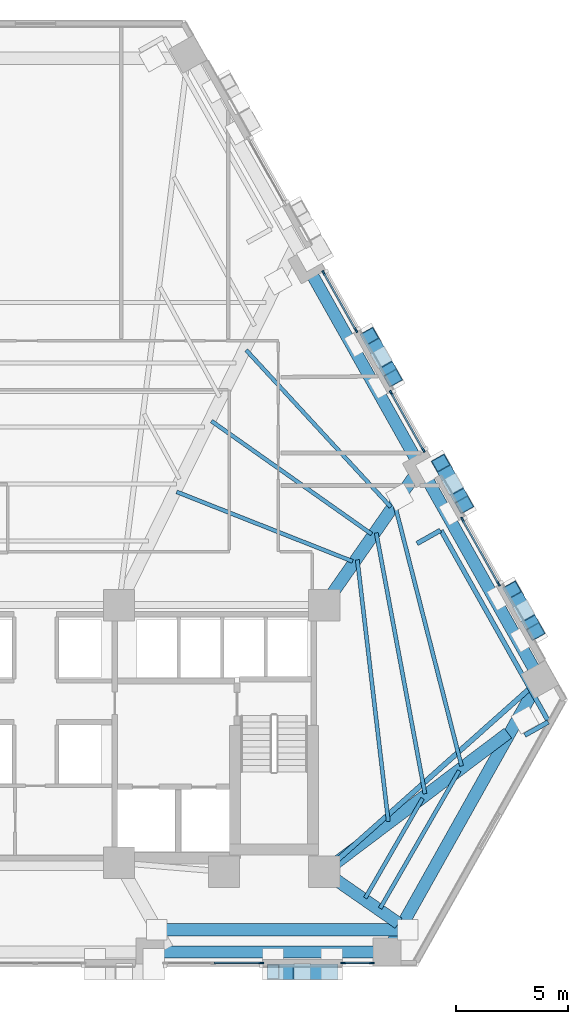
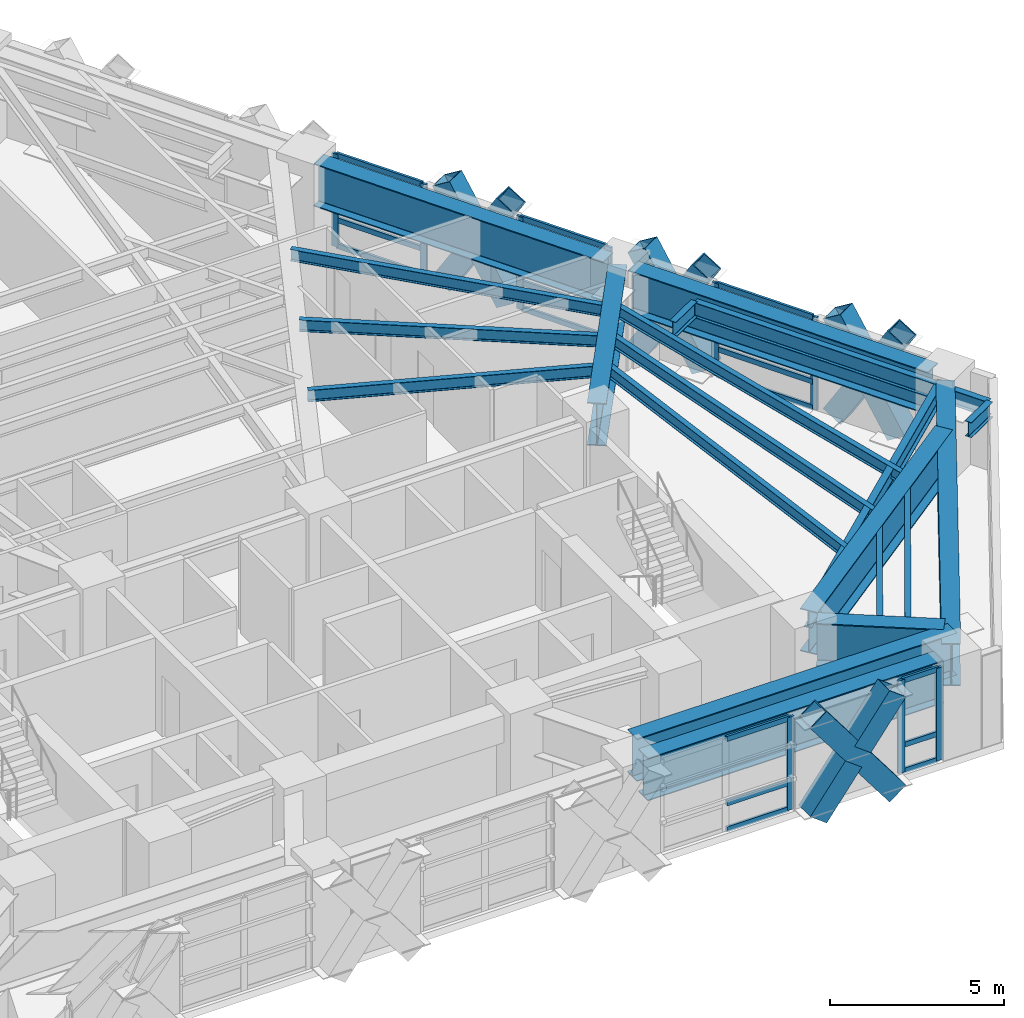
# One storey, part 4 of 14: 36 members, 20 beams, 5 elements without a shape of their own.
"""IFC4 building model written with IfcOpenShell, lengths in metres."""

from ifc_helpers import new_model, si_unit, direction, frame, origin, origin_2d, place, context, subcontext, project, spatial, rectangle, hollow_rectangle, i_section, extrude, material, material_profile, profile_set, type_object, element, aggregate, save


model = new_model("IFC4")

# Units and contexts
model_context = context("Model", 3, precision=1e-05, world=origin(), true_north=direction((0.0, 1.0)))
body_context = subcontext(model_context, "Body", "Model", "MODEL_VIEW")
ifc_project = project(units=[si_unit("LENGTHUNIT", "METRE"), si_unit("AREAUNIT", "SQUARE_METRE"), si_unit("VOLUMEUNIT", "CUBIC_METRE"), si_unit("PLANEANGLEUNIT", "RADIAN"), si_unit("MASSUNIT", "GRAM", prefix="KILO")], contexts=[model_context])

# Site, building, storey
site_placement = place(None, origin())
site = spatial("IfcSite", under=ifc_project, at=site_placement, CompositionType="ELEMENT")
building_placement = place(site_placement, origin())
building = spatial("IfcBuilding", under=site, at=building_placement, Name="Quenlor Broadcast Tower", CompositionType="ELEMENT")
storey_placement = place(building_placement, frame((0.0, 0.0, 73.10009765625)))
storey = spatial("IfcBuildingStorey", under=building, at=storey_placement, Name="L19", CompositionType="ELEMENT", Elevation=73.10009765625)

# Curtain wall, members
ifc_material_1 = material(Name="Architectural Terracotta and Low-E Glazing", Category="masonry")
curtain_wall_type = type_object("IfcCurtainWallType", Name="Unitised Terracotta Curtain Wall System Z1", PredefinedType="NOTDEFINED", material=ifc_material_1)
curtain_wall_1_placement = place(storey_placement, origin())
curtain_wall_1 = element("IfcCurtainWall", 1, at=curtain_wall_1_placement, inside=storey, type_object=curtain_wall_type, Name="L19 Curtain Wall CW1 (L19-SA-G1)", PredefinedType="NOTDEFINED")
ifc_material_2 = material(Name="Aluminium 6063-T6", Category="aluminium")
ifc_material_profile_1 = material_profile(ifc_material_2, rectangle(XDim=0.080078125, YDim=0.219970703125, at=origin_2d()))
ifc_profile_set_1 = profile_set([ifc_material_profile_1], Name="Aluminium 6063-T6 MULL80x220")
member_type_1 = type_object("IfcMemberType", Name="CW1 Aluminium Mullion MULL_CW1", PredefinedType="MULLION", material=ifc_profile_set_1)
member_1_placement = place(storey_placement, frame((15.0751953125, -20.840087890625, 0.0), z_axis=(0.0, 0.0, 1.0), x_axis=(0.0, -1.0, 0.0)))
member_1 = element("IfcMember", 2, at=member_1_placement, type_object=member_type_1, Name="CW1 mullion 1", PredefinedType="MULLION", context=body_context, shape_type="SweptSolid", body=[
    extrude(rectangle(XDim=0.080078125, YDim=0.219970703125, at=origin_2d()), origin(), (0.0, 0.0, 1.0), 3.25),
])
member_2_placement = place(storey_placement, frame((13.806884765625, -20.840087890625, 0.0), z_axis=(0.0, 0.0, 1.0), x_axis=(0.0, -1.0, 0.0)))
member_2 = element("IfcMember", 3, at=member_2_placement, type_object=member_type_1, Name="CW1 mullion 2", PredefinedType="MULLION", context=body_context, shape_type="SweptSolid", body=[
    extrude(rectangle(XDim=0.080078125, YDim=0.219970703125, at=origin_2d()), origin(), (0.0, 0.0, 1.0), 3.25),
])

# Curtain wall, member
curtain_wall_2_placement = place(storey_placement, origin())
curtain_wall_2 = element("IfcCurtainWall", 4, at=curtain_wall_2_placement, inside=storey, type_object=curtain_wall_type, Name="L19 Curtain Wall CW1 (L19-SA-G2)", PredefinedType="NOTDEFINED")
member_3_placement = place(storey_placement, frame((10.134765625, -20.840087890625, 0.0), z_axis=(0.0, 0.0, 1.0), x_axis=(0.0, -1.0, 0.0)))
member_3 = element("IfcMember", 5, at=member_3_placement, type_object=member_type_1, Name="CW1 mullion 1", PredefinedType="MULLION", context=body_context, shape_type="SweptSolid", body=[
    extrude(rectangle(XDim=0.080078125, YDim=0.219970703125, at=origin_2d()), origin(), (0.0, 0.0, 1.0), 3.25),
])

# Curtain wall, members
curtain_wall_3_placement = place(storey_placement, origin())
curtain_wall_3 = element("IfcCurtainWall", 6, at=curtain_wall_3_placement, inside=storey, type_object=curtain_wall_type, Name="L19 Curtain Wall CW1 (L19-NEC-G1)", PredefinedType="NOTDEFINED")
member_4_placement = place(storey_placement, frame((19.146484375, -0.964599609375, 0.0), z_axis=(0.0, 0.0, 1.0), x_axis=(0.871577906875, 0.49025702672, 0.0)))
member_4 = element("IfcMember", 7, at=member_4_placement, type_object=member_type_1, Name="CW1 mullion 1", PredefinedType="MULLION", context=body_context, shape_type="SweptSolid", body=[
    extrude(rectangle(XDim=0.080078125, YDim=0.219970703125, at=origin_2d()), origin(), (0.0, 0.0, 1.0), 3.25),
])
member_5_placement = place(storey_placement, frame((20.764892578125, -3.841552734375, 0.0), z_axis=(0.0, 0.0, 1.0), x_axis=(0.871577906875, 0.49025702672, 0.0)))
member_5 = element("IfcMember", 8, at=member_5_placement, type_object=member_type_1, Name="CW1 mullion 2", PredefinedType="MULLION", context=body_context, shape_type="SweptSolid", body=[
    extrude(rectangle(XDim=0.080078125, YDim=0.219970703125, at=origin_2d()), origin(), (0.0, 0.0, 1.0), 3.25),
])

curtain_wall_4_placement = place(storey_placement, origin())
curtain_wall_4 = element("IfcCurtainWall", 9, at=curtain_wall_4_placement, inside=storey, type_object=curtain_wall_type, Name="L19 Curtain Wall CW1 (L19-NE-G1)", PredefinedType="NOTDEFINED")
member_6_placement = place(storey_placement, frame((12.926025390625, 10.09423828125, 0.0), z_axis=(0.0, 0.0, 1.0), x_axis=(0.871568481465, 0.490273782815, 0.0)))
member_6 = element("IfcMember", 10, at=member_6_placement, type_object=member_type_1, Name="CW1 mullion 1", PredefinedType="MULLION", context=body_context, shape_type="SweptSolid", body=[
    extrude(rectangle(XDim=0.080078125, YDim=0.219970703125, at=origin_2d()), origin(), (0.0, 0.0, 1.0), 3.25),
])
member_7_placement = place(storey_placement, frame((14.371337890625, 7.524658203125, 0.0), z_axis=(0.0, 0.0, 1.0), x_axis=(0.871568481465, 0.490273782815, 0.0)))
member_7 = element("IfcMember", 11, at=member_7_placement, type_object=member_type_1, Name="CW1 mullion 2", PredefinedType="MULLION", context=body_context, shape_type="SweptSolid", body=[
    extrude(rectangle(XDim=0.080078125, YDim=0.219970703125, at=origin_2d()), origin(), (0.0, 0.0, 1.0), 3.25),
])

curtain_wall_5_placement = place(storey_placement, origin())
curtain_wall_5 = element("IfcCurtainWall", 12, at=curtain_wall_5_placement, inside=storey, type_object=curtain_wall_type, Name="L19 Curtain Wall CW1 (L19-NE-G2)", PredefinedType="NOTDEFINED")
member_8_placement = place(storey_placement, frame((15.94970703125, 4.718505859375, 0.0), z_axis=(0.0, 0.0, 1.0), x_axis=(0.871568481465, 0.490273782815, 0.0)))
member_8 = element("IfcMember", 13, at=member_8_placement, type_object=member_type_1, Name="CW1 mullion 1", PredefinedType="MULLION", context=body_context, shape_type="SweptSolid", body=[
    extrude(rectangle(XDim=0.080078125, YDim=0.219970703125, at=origin_2d()), origin(), (0.0, 0.0, 1.0), 3.25),
])
member_9_placement = place(storey_placement, frame((17.39501953125, 2.149169921875, 0.0), z_axis=(0.0, 0.0, 1.0), x_axis=(0.871568481465, 0.490273782815, 0.0)))
member_9 = element("IfcMember", 14, at=member_9_placement, type_object=member_type_1, Name="CW1 mullion 2", PredefinedType="MULLION", context=body_context, shape_type="SweptSolid", body=[
    extrude(rectangle(XDim=0.080078125, YDim=0.219970703125, at=origin_2d()), origin(), (0.0, 0.0, 1.0), 3.25),
])

# Member
ifc_material_3 = material(Name="Aluminium 6063-T6", Category="aluminium")
ifc_material_profile_2 = material_profile(ifc_material_3, rectangle(XDim=0.080078125, YDim=0.179931640625, at=origin_2d()))
ifc_profile_set_2 = profile_set([ifc_material_profile_2], Name="Aluminium 6063-T6 TRAN80x180")
member_type_2 = type_object("IfcMemberType", Name="CW1 Aluminium Transom TRAN_CW1", PredefinedType="USERDEFINED", material=ifc_profile_set_2)
member_10_placement = place(storey_placement, frame((15.03515625, -20.840087890625, 0.039794921875), z_axis=(-1.0, 0.0, 0.0), x_axis=(0.0, -1.0, 0.0)))
member_10 = element("IfcMember", 15, at=member_10_placement, type_object=member_type_2, Name="CW1 transom 1.1", ObjectType="TRANSOM", PredefinedType="USERDEFINED", context=body_context, shape_type="SweptSolid", body=[
    extrude(rectangle(XDim=0.080078125, YDim=0.179931640625, at=origin_2d()), origin(), (0.0, 0.0, 1.0), 1.1884765625),
])

member_11_placement = place(storey_placement, frame((15.03515625, -20.840087890625, 0.949951171875), z_axis=(-1.0, 0.0, 0.0), x_axis=(0.0, -1.0, 0.0)))
member_11 = element("IfcMember", 16, at=member_11_placement, type_object=member_type_2, Name="CW1 transom 1.2", ObjectType="TRANSOM", PredefinedType="USERDEFINED", context=body_context, shape_type="SweptSolid", body=[
    extrude(rectangle(XDim=0.080078125, YDim=0.179931640625, at=origin_2d()), origin(), (0.0, 0.0, 1.0), 1.1884765625),
])

member_12_placement = place(storey_placement, frame((15.03515625, -20.840087890625, 3.2099609375), z_axis=(-1.0, 0.0, 0.0), x_axis=(0.0, -1.0, 0.0)))
member_12 = element("IfcMember", 17, at=member_12_placement, type_object=member_type_2, Name="CW1 transom 1.3", ObjectType="TRANSOM", PredefinedType="USERDEFINED", context=body_context, shape_type="SweptSolid", body=[
    extrude(rectangle(XDim=0.080078125, YDim=0.179931640625, at=origin_2d()), origin(), (0.0, 0.0, 1.0), 1.1884765625),
])

aggregate(curtain_wall_1, [member_1, member_2, member_10, member_11, member_12])

member_13_placement = place(storey_placement, frame((10.0947265625, -20.840087890625, 0.039794921875), z_axis=(-1.0, 0.0, 0.0), x_axis=(0.0, -1.0, 0.0)))
member_13 = element("IfcMember", 18, at=member_13_placement, type_object=member_type_2, Name="CW1 transom 1.1", ObjectType="TRANSOM", PredefinedType="USERDEFINED", context=body_context, shape_type="SweptSolid", body=[
    extrude(rectangle(XDim=0.080078125, YDim=0.179931640625, at=origin_2d()), origin(), (0.0, 0.0, 1.0), 2.072021484375),
])

member_14_placement = place(storey_placement, frame((10.0947265625, -20.840087890625, 0.949951171875), z_axis=(-1.0, 0.0, 0.0), x_axis=(0.0, -1.0, 0.0)))
member_14 = element("IfcMember", 19, at=member_14_placement, type_object=member_type_2, Name="CW1 transom 1.2", ObjectType="TRANSOM", PredefinedType="USERDEFINED", context=body_context, shape_type="SweptSolid", body=[
    extrude(rectangle(XDim=0.080078125, YDim=0.179931640625, at=origin_2d()), origin(), (0.0, 0.0, 1.0), 2.072021484375),
])

member_15_placement = place(storey_placement, frame((10.0947265625, -20.840087890625, 3.2099609375), z_axis=(-1.0, 0.0, 0.0), x_axis=(0.0, -1.0, 0.0)))
member_15 = element("IfcMember", 20, at=member_15_placement, type_object=member_type_2, Name="CW1 transom 1.3", ObjectType="TRANSOM", PredefinedType="USERDEFINED", context=body_context, shape_type="SweptSolid", body=[
    extrude(rectangle(XDim=0.080078125, YDim=0.179931640625, at=origin_2d()), origin(), (0.0, 0.0, 1.0), 2.072021484375),
])

aggregate(curtain_wall_2, [member_3, member_13, member_14, member_15])

member_16_placement = place(storey_placement, frame((19.166015625, -0.99951171875, 0.039794921875), z_axis=(0.490250443683, -0.871581609758, 0.0), x_axis=(0.871581609758, 0.490250443683, 0.0)))
member_16 = element("IfcMember", 21, at=member_16_placement, type_object=member_type_2, Name="CW1 transom 1.1", ObjectType="TRANSOM", PredefinedType="USERDEFINED", context=body_context, shape_type="SweptSolid", body=[
    extrude(rectangle(XDim=0.080078125, YDim=0.179931640625, at=origin_2d()), origin(), (0.0, 0.0, 1.0), 3.220947265625),
])

member_17_placement = place(storey_placement, frame((19.166015625, -0.99951171875, 0.949951171875), z_axis=(0.490250443683, -0.871581609758, 0.0), x_axis=(0.871581609758, 0.490250443683, 0.0)))
member_17 = element("IfcMember", 22, at=member_17_placement, type_object=member_type_2, Name="CW1 transom 1.2", ObjectType="TRANSOM", PredefinedType="USERDEFINED", context=body_context, shape_type="SweptSolid", body=[
    extrude(rectangle(XDim=0.080078125, YDim=0.179931640625, at=origin_2d()), origin(), (0.0, 0.0, 1.0), 3.220947265625),
])

member_18_placement = place(storey_placement, frame((19.166015625, -0.99951171875, 3.2099609375), z_axis=(0.490250443683, -0.871581609758, 0.0), x_axis=(0.871581609758, 0.490250443683, 0.0)))
member_18 = element("IfcMember", 23, at=member_18_placement, type_object=member_type_2, Name="CW1 transom 1.3", ObjectType="TRANSOM", PredefinedType="USERDEFINED", context=body_context, shape_type="SweptSolid", body=[
    extrude(rectangle(XDim=0.080078125, YDim=0.179931640625, at=origin_2d()), origin(), (0.0, 0.0, 1.0), 3.220947265625),
])

aggregate(curtain_wall_3, [member_4, member_5, member_16, member_17, member_18])

member_19_placement = place(storey_placement, frame((12.945556640625, 10.059326171875, 0.039794921875), z_axis=(0.490232948684, -0.871591450179, 0.0), x_axis=(0.871591450179, 0.490232948684, 0.0)))
member_19 = element("IfcMember", 24, at=member_19_placement, type_object=member_type_2, Name="CW1 transom 1.1", ObjectType="TRANSOM", PredefinedType="USERDEFINED", context=body_context, shape_type="SweptSolid", body=[
    extrude(rectangle(XDim=0.080078125, YDim=0.179931640625, at=origin_2d()), origin(), (0.0, 0.0, 1.0), 2.867919921875),
])

member_20_placement = place(storey_placement, frame((12.945556640625, 10.059326171875, 0.949951171875), z_axis=(0.490232948684, -0.871591450179, 0.0), x_axis=(0.871591450179, 0.490232948684, 0.0)))
member_20 = element("IfcMember", 25, at=member_20_placement, type_object=member_type_2, Name="CW1 transom 1.2", ObjectType="TRANSOM", PredefinedType="USERDEFINED", context=body_context, shape_type="SweptSolid", body=[
    extrude(rectangle(XDim=0.080078125, YDim=0.179931640625, at=origin_2d()), origin(), (0.0, 0.0, 1.0), 2.867919921875),
])

member_21_placement = place(storey_placement, frame((12.945556640625, 10.059326171875, 3.2099609375), z_axis=(0.490232948684, -0.871591450179, 0.0), x_axis=(0.871591450179, 0.490232948684, 0.0)))
member_21 = element("IfcMember", 26, at=member_21_placement, type_object=member_type_2, Name="CW1 transom 1.3", ObjectType="TRANSOM", PredefinedType="USERDEFINED", context=body_context, shape_type="SweptSolid", body=[
    extrude(rectangle(XDim=0.080078125, YDim=0.179931640625, at=origin_2d()), origin(), (0.0, 0.0, 1.0), 2.867919921875),
])

aggregate(curtain_wall_4, [member_6, member_7, member_19, member_20, member_21])

member_22_placement = place(storey_placement, frame((15.96923828125, 4.68359375, 0.039794921875), z_axis=(0.490297611432, -0.871555076988, 0.0), x_axis=(0.871555076988, 0.490297611432, 0.0)))
member_22 = element("IfcMember", 27, at=member_22_placement, type_object=member_type_2, Name="CW1 transom 1.1", ObjectType="TRANSOM", PredefinedType="USERDEFINED", context=body_context, shape_type="SweptSolid", body=[
    extrude(rectangle(XDim=0.080078125, YDim=0.179931640625, at=origin_2d()), origin(), (0.0, 0.0, 1.0), 2.8681640625),
])

member_23_placement = place(storey_placement, frame((15.96923828125, 4.68359375, 0.949951171875), z_axis=(0.490297611432, -0.871555076988, 0.0), x_axis=(0.871555076988, 0.490297611432, 0.0)))
member_23 = element("IfcMember", 28, at=member_23_placement, type_object=member_type_2, Name="CW1 transom 1.2", ObjectType="TRANSOM", PredefinedType="USERDEFINED", context=body_context, shape_type="SweptSolid", body=[
    extrude(rectangle(XDim=0.080078125, YDim=0.179931640625, at=origin_2d()), origin(), (0.0, 0.0, 1.0), 2.8681640625),
])

member_24_placement = place(storey_placement, frame((15.96923828125, 4.68359375, 3.2099609375), z_axis=(0.490297611432, -0.871555076988, 0.0), x_axis=(0.871555076988, 0.490297611432, 0.0)))
member_24 = element("IfcMember", 29, at=member_24_placement, type_object=member_type_2, Name="CW1 transom 1.3", ObjectType="TRANSOM", PredefinedType="USERDEFINED", context=body_context, shape_type="SweptSolid", body=[
    extrude(rectangle(XDim=0.080078125, YDim=0.179931640625, at=origin_2d()), origin(), (0.0, 0.0, 1.0), 2.8681640625),
])

aggregate(curtain_wall_5, [member_8, member_9, member_22, member_23, member_24])

# Members
ifc_material_4 = material(Name="Steel S355", Category="steel")
ifc_material_profile_3 = material_profile(ifc_material_4, hollow_rectangle(XDim=0.679931640625, YDim=0.679931640625, WallThickness=0.034912109375, at=origin_2d()))
ifc_profile_set_3 = profile_set([ifc_material_profile_3], Name="Steel S355 RHS680x680x35")
member_type_3 = type_object("IfcMemberType", Name="Perimeter Diagonal Lattice Brace Z1 Steel S355 RHS680x35", PredefinedType="BRACE", material=ifc_profile_set_3)
member_25_placement = place(storey_placement, frame((13.284912109375, -21.235107421875, -0.1201171875), z_axis=(-0.60049964856, 0.0, 0.799625019668), x_axis=(0.0, -1.0, 0.0)))
element("IfcMember", 30, at=member_25_placement, inside=storey, type_object=member_type_3, Name="L19 Perimeter Diamond Lattice S-C1XA", PredefinedType="BRACE", context=body_context, shape_type="SweptSolid", body=[
    extrude(hollow_rectangle(XDim=0.679931640625, YDim=0.679931640625, WallThickness=0.034912109375, at=origin_2d()), origin(), (0.0, 0.0, 1.0), 4.376953125),
])
for number, where, z_axis, x_axis, name in (
    (31, (10.656494140625, -21.235107421875, -0.1201171875), (0.600503659272, 0.0, 0.799622007701), (0.0, 1.0, 0.0), "L19 Perimeter Diamond Lattice S-C1XB1"),
    (32, (12.120849609375, -21.235107421875, 1.829833984375), (0.600503659272, 0.0, 0.799622007701), (0.0, 1.0, 0.0), "L19 Perimeter Diamond Lattice S-C1XB2"),
):
    element("IfcMember", number, at=place(storey_placement, frame(where, z_axis=z_axis, x_axis=x_axis)), inside=storey, type_object=member_type_3, Name=name, PredefinedType="BRACE", context=body_context, shape_type="SweptSolid", body=[
        extrude(hollow_rectangle(XDim=0.679931640625, YDim=0.679931640625, WallThickness=0.034912109375, at=origin_2d()), origin(), (0.0, 0.0, 1.0), 1.9384765625),
    ])
member_26_placement = place(storey_placement, frame((14.978515625, 7.251220703125, -0.1201171875), z_axis=(0.256368393635, -0.455838699906, 0.852341672343), x_axis=(0.871608931644, 0.490201866865, 0.0)))
element("IfcMember", 33, at=member_26_placement, inside=storey, type_object=member_type_3, Name="L19 Perimeter Diamond Lattice NE-C3XA", PredefinedType="BRACE", context=body_context, shape_type="SweptSolid", body=[
    extrude(hollow_rectangle(XDim=0.679931640625, YDim=0.679931640625, WallThickness=0.034912109375, at=origin_2d()), origin(), (0.0, 0.0, 1.0), 4.1064453125),
])
for number, where, z_axis, x_axis, name in (
    (34, (16.03125, 5.37939453125, -0.1201171875), (-0.256435894674, 0.455870991217, 0.852304095549), (-0.871568623966, -0.49027352949, 0.0), "L19 Perimeter Diamond Lattice NE-C3XB1"),
    (35, (15.440673828125, 6.42919921875, 1.843017578125), (-0.256309397679, 0.455886815629, 0.852333681135), (-0.871679226863, -0.490076856683, 0.0), "L19 Perimeter Diamond Lattice NE-C3XB2"),
):
    element("IfcMember", number, at=place(storey_placement, frame(where, z_axis=z_axis, x_axis=x_axis)), inside=storey, type_object=member_type_3, Name=name, PredefinedType="BRACE", context=body_context, shape_type="SweptSolid", body=[
        extrude(hollow_rectangle(XDim=0.679931640625, YDim=0.679931640625, WallThickness=0.034912109375, at=origin_2d()), origin(), (0.0, 0.0, 1.0), 1.80322265625),
    ])
member_27_placement = place(storey_placement, frame((18.175048828125, 1.56787109375, -0.1201171875), z_axis=(0.256430888508, -0.455784649039, 0.8523517778), x_axis=(0.871533027316, 0.490336804959, 0.0)))
element("IfcMember", 36, at=member_27_placement, inside=storey, type_object=member_type_3, Name="L19 Perimeter Diamond Lattice NE-C4XA", PredefinedType="BRACE", context=body_context, shape_type="SweptSolid", body=[
    extrude(hollow_rectangle(XDim=0.679931640625, YDim=0.679931640625, WallThickness=0.034912109375, at=origin_2d()), origin(), (0.0, 0.0, 1.0), 4.106201171875),
])
member_28_placement = place(storey_placement, frame((19.22802734375, -0.3037109375, -0.1201171875), z_axis=(-0.256435894674, 0.455870991217, 0.852304095549), x_axis=(-0.871568623966, -0.49027352949, 0.0)))
element("IfcMember", 37, at=member_28_placement, inside=storey, type_object=member_type_3, Name="L19 Perimeter Diamond Lattice NE-C4XB1", PredefinedType="BRACE", context=body_context, shape_type="SweptSolid", body=[
    extrude(hollow_rectangle(XDim=0.679931640625, YDim=0.679931640625, WallThickness=0.034912109375, at=origin_2d()), origin(), (0.0, 0.0, 1.0), 1.80322265625),
])
member_29_placement = place(storey_placement, frame((18.637451171875, 0.74609375, 1.843017578125), z_axis=(-0.256451721554, 0.455763724789, 0.852356698618), x_axis=(-0.871506382136, -0.490384161547, 0.0)))
element("IfcMember", 38, at=member_29_placement, inside=storey, type_object=member_type_3, Name="L19 Perimeter Diamond Lattice NE-C4XB2", PredefinedType="BRACE", context=body_context, shape_type="SweptSolid", body=[
    extrude(hollow_rectangle(XDim=0.679931640625, YDim=0.679931640625, WallThickness=0.034912109375, at=origin_2d()), origin(), (0.0, 0.0, 1.0), 1.802978515625),
])
member_30_placement = place(storey_placement, frame((21.371826171875, -4.115234375, -0.1201171875), z_axis=(0.256430888508, -0.455784649039, 0.8523517778), x_axis=(0.871533027316, 0.490336804959, 0.0)))
element("IfcMember", 39, at=member_30_placement, inside=storey, type_object=member_type_3, Name="L19 Perimeter Diamond Lattice NE-C5XA", PredefinedType="BRACE", context=body_context, shape_type="SweptSolid", body=[
    extrude(hollow_rectangle(XDim=0.679931640625, YDim=0.679931640625, WallThickness=0.034912109375, at=origin_2d()), origin(), (0.0, 0.0, 1.0), 4.106201171875),
])
for number, where, z_axis, x_axis, name in (
    (40, (22.4248046875, -5.98681640625, -0.1201171875), (-0.256451721554, 0.455763724789, 0.852356698618), (-0.871506382136, -0.490384161547, 0.0), "L19 Perimeter Diamond Lattice NE-C5XB1"),
    (41, (21.834228515625, -4.93701171875, 1.843017578125), (-0.256451721554, 0.455763724789, 0.852356698618), (-0.871506382136, -0.490384161547, 0.0), "L19 Perimeter Diamond Lattice NE-C5XB2"),
):
    element("IfcMember", number, at=place(storey_placement, frame(where, z_axis=z_axis, x_axis=x_axis)), inside=storey, type_object=member_type_3, Name=name, PredefinedType="BRACE", context=body_context, shape_type="SweptSolid", body=[
        extrude(hollow_rectangle(XDim=0.679931640625, YDim=0.679931640625, WallThickness=0.034912109375, at=origin_2d()), origin(), (0.0, 0.0, 1.0), 1.802978515625),
    ])

# Beams
ifc_material_5 = material(Name="Steel S355", Category="steel")
ifc_material_profile_4 = material_profile(ifc_material_5, i_section(OverallWidth=0.208984375, OverallDepth=0.532958984375, WebThickness=0.01025390625, FlangeThickness=0.015625, FilletRadius=0.013916015625, at=origin_2d()))
ifc_profile_set_4 = profile_set([ifc_material_profile_4], Name="Steel S355 530UB92.4")
beam_type_1 = type_object("IfcBeamType", Name="Perimeter Spandrel Beam Z1 Steel S355 530UB92.4", PredefinedType="SPANDREL", material=ifc_profile_set_4)
beam_1_placement = place(storey_placement, frame((17.105224609375, -2.038818359375, 2.9833984375), z_axis=(0.871661741425, 0.490107956001, 0.0), x_axis=(-0.490107956001, 0.871661741425, 0.0)))
element("IfcBeam", 42, at=beam_1_placement, inside=storey, type_object=beam_type_1, Name="L19 Lattice Sill Radial Tie NEB1", PredefinedType="SPANDREL", context=body_context, shape_type="SweptSolid", body=[
    extrude(i_section(OverallWidth=0.208984375, OverallDepth=0.532958984375, WebThickness=0.01025390625, FlangeThickness=0.015625, FilletRadius=0.013916015625, at=origin_2d()), origin(), (0.0, 0.0, 1.0), 1.2099609375),
])
beam_2_placement = place(storey_placement, frame((21.9384765625, -10.63134765625, 2.9833984375), z_axis=(0.871575537125, 0.490261239633, 0.0), x_axis=(-0.490261239633, 0.871575537125, 0.0)))
element("IfcBeam", 43, at=beam_2_placement, inside=storey, type_object=beam_type_1, Name="L19 Lattice Sill Radial Tie NEB2", PredefinedType="SPANDREL", context=body_context, shape_type="SweptSolid", body=[
    extrude(i_section(OverallWidth=0.208984375, OverallDepth=0.532958984375, WebThickness=0.01025390625, FlangeThickness=0.015625, FilletRadius=0.013916015625, at=origin_2d()), origin(), (0.0, 0.0, 1.0), 1.210205078125),
])
beam_3_placement = place(storey_placement, frame((18.18701171875, -1.453369140625, 2.9833984375), z_axis=(0.490265961788, -0.871572880895, 0.0), x_axis=(0.871572880895, 0.490265961788, 0.0)))
element("IfcBeam", 44, at=beam_3_placement, inside=storey, type_object=beam_type_1, Name="L19 Lattice Sill Girder NEB", PredefinedType="SPANDREL", context=body_context, shape_type="SweptSolid", body=[
    extrude(i_section(OverallWidth=0.208984375, OverallDepth=0.532958984375, WebThickness=0.01025390625, FlangeThickness=0.015625, FilletRadius=0.013916015625, at=origin_2d()), origin(), (0.0, 0.0, 1.0), 9.818603515625),
])
ifc_material_6 = material(Name="Steel S355", Category="steel")
ifc_material_profile_5 = material_profile(ifc_material_6, i_section(OverallWidth=0.177978515625, OverallDepth=0.406494140625, WebThickness=0.0078125, FlangeThickness=0.0126953125, FilletRadius=0.011474609375, at=origin_2d()))
ifc_profile_set_5 = profile_set([ifc_material_profile_5], Name="Steel S355 410UB59.7")
beam_type_2 = type_object("IfcBeamType", Name="Tower Composite Joist Z1 Steel S355 410UB59.7", PredefinedType="JOIST", material=ifc_profile_set_5)
beam_4_placement = place(storey_placement, frame((14.223388671875, -2.839599609375, 3.046630859375), z_axis=(-0.930024787145, 0.367496796307, 0.0), x_axis=(-0.367496796307, -0.930024787145, 0.0)))
element("IfcBeam", 45, at=beam_4_placement, inside=storey, type_object=beam_type_2, Name="L19 Secondary Composite Joist 10", PredefinedType="JOIST", context=body_context, shape_type="SweptSolid", body=[
    extrude(i_section(OverallWidth=0.177978515625, OverallDepth=0.406494140625, WebThickness=0.0078125, FlangeThickness=0.0126953125, FilletRadius=0.011474609375, at=origin_2d()), origin(), (0.0, 0.0, 1.0), 8.482177734375),
])
beam_5_placement = place(storey_placement, frame((15.07470703125, -1.6162109375, 3.046630859375), z_axis=(-0.816950927249, 0.57670718954, 0.0), x_axis=(-0.57670718954, -0.816950927249, 0.0)))
element("IfcBeam", 46, at=beam_5_placement, inside=storey, type_object=beam_type_2, Name="L19 Secondary Composite Joist 11", PredefinedType="JOIST", context=body_context, shape_type="SweptSolid", body=[
    extrude(i_section(OverallWidth=0.177978515625, OverallDepth=0.406494140625, WebThickness=0.0078125, FlangeThickness=0.0126953125, FilletRadius=0.011474609375, at=origin_2d()), origin(), (0.0, 0.0, 1.0), 8.789306640625),
])
beam_6_placement = place(storey_placement, frame((15.927978515625, -0.396484375, 3.046630859375), z_axis=(-0.677623047975, 0.735409413084, 0.0), x_axis=(-0.735409413084, -0.677623047975, 0.0)))
element("IfcBeam", 47, at=beam_6_placement, inside=storey, type_object=beam_type_2, Name="L19 Secondary Composite Joist 12", PredefinedType="JOIST", context=body_context, shape_type="SweptSolid", body=[
    extrude(i_section(OverallWidth=0.177978515625, OverallDepth=0.406494140625, WebThickness=0.0078125, FlangeThickness=0.0126953125, FilletRadius=0.011474609375, at=origin_2d()), origin(), (0.0, 0.0, 1.0), 9.556640625),
])
beam_7_placement = place(storey_placement, frame((15.822509765625, -14.496337890625, 3.046630859375), z_axis=(-0.11761838758, 0.993058867793, 0.0), x_axis=(-0.993058867793, -0.11761838758, 0.0)))
element("IfcBeam", 48, at=beam_7_placement, inside=storey, type_object=beam_type_2, Name="L19 Secondary Composite Joist 16", PredefinedType="JOIST", context=body_context, shape_type="SweptSolid", body=[
    extrude(i_section(OverallWidth=0.177978515625, OverallDepth=0.406494140625, WebThickness=0.0078125, FlangeThickness=0.0126953125, FilletRadius=0.011474609375, at=origin_2d()), origin(), (0.0, 0.0, 1.0), 11.810791015625),
])
beam_8_placement = place(storey_placement, frame((17.464111328125, -13.254638671875, 3.046630859375), z_axis=(-0.183502930041, 0.983019162919, 0.0), x_axis=(-0.983019162919, -0.183502930041, 0.0)))
element("IfcBeam", 49, at=beam_8_placement, inside=storey, type_object=beam_type_2, Name="L19 Secondary Composite Joist 17", PredefinedType="JOIST", context=body_context, shape_type="SweptSolid", body=[
    extrude(i_section(OverallWidth=0.177978515625, OverallDepth=0.406494140625, WebThickness=0.0078125, FlangeThickness=0.0126953125, FilletRadius=0.011474609375, at=origin_2d()), origin(), (0.0, 0.0, 1.0), 11.896728515625),
])
beam_9_placement = place(storey_placement, frame((19.10595703125, -12.01318359375, 3.046630859375), z_axis=(-0.24739621111, 0.968914400104, 0.0), x_axis=(-0.968914400104, -0.24739621111, 0.0)))
element("IfcBeam", 50, at=beam_9_placement, inside=storey, type_object=beam_type_2, Name="L19 Secondary Composite Joist 18", PredefinedType="JOIST", context=body_context, shape_type="SweptSolid", body=[
    extrude(i_section(OverallWidth=0.177978515625, OverallDepth=0.406494140625, WebThickness=0.0078125, FlangeThickness=0.0126953125, FilletRadius=0.011474609375, at=origin_2d()), origin(), (0.0, 0.0, 1.0), 12.035400390625),
])
beam_10_placement = place(storey_placement, frame((14.78857421875, -17.93017578125, 3.046630859375), z_axis=(0.498530782172, 0.866871997025, 0.0), x_axis=(-0.866871997025, 0.498530782172, 0.0)))
element("IfcBeam", 51, at=beam_10_placement, inside=storey, type_object=beam_type_2, Name="L19 Secondary Composite Joist 23", PredefinedType="JOIST", context=body_context, shape_type="SweptSolid", body=[
    extrude(i_section(OverallWidth=0.177978515625, OverallDepth=0.406494140625, WebThickness=0.0078125, FlangeThickness=0.0126953125, FilletRadius=0.011474609375, at=origin_2d()), origin(), (0.0, 0.0, 1.0), 5.1513671875),
])
beam_11_placement = place(storey_placement, frame((15.45458984375, -18.39306640625, 3.046630859375), z_axis=(0.498530404553, 0.866872214191, 0.0), x_axis=(-0.866872214191, 0.498530404553, 0.0)))
element("IfcBeam", 52, at=beam_11_placement, inside=storey, type_object=beam_type_2, Name="L19 Secondary Composite Joist 24", PredefinedType="JOIST", context=body_context, shape_type="SweptSolid", body=[
    extrude(i_section(OverallWidth=0.177978515625, OverallDepth=0.406494140625, WebThickness=0.0078125, FlangeThickness=0.0126953125, FilletRadius=0.011474609375, at=origin_2d()), origin(), (0.0, 0.0, 1.0), 7.11865234375),
])
ifc_material_7 = material(Name="Steel S355", Category="steel")
ifc_material_profile_6 = material_profile(ifc_material_7, i_section(OverallWidth=0.22900390625, OverallDepth=0.611572265625, WebThickness=0.011962890625, FlangeThickness=0.01953125, FilletRadius=0.013916015625, at=origin_2d()))
ifc_profile_set_6 = profile_set([ifc_material_profile_6], Name="Steel S355 610UB125")
beam_type_3 = type_object("IfcBeamType", Name="Tower Primary Floor Beam Z1 Steel S355 610UB125", PredefinedType="BEAM", material=ifc_profile_set_6)
beam_12_placement = place(storey_placement, frame((22.31005859375, -8.40478515625, 2.944091796875), z_axis=(-0.746413754585, -0.665482161268, 0.0), x_axis=(0.665482161268, -0.746413754585, 0.0)))
element("IfcBeam", 53, at=beam_12_placement, inside=storey, type_object=beam_type_3, Name="L19 Primary Radial Beam NE1", PredefinedType="BEAM", context=body_context, shape_type="SweptSolid", body=[
    extrude(i_section(OverallWidth=0.22900390625, OverallDepth=0.611572265625, WebThickness=0.011962890625, FlangeThickness=0.01953125, FilletRadius=0.013916015625, at=origin_2d()), origin(), (0.0, 0.0, 1.0), 12.159912109375),
])
ifc_material_8 = material(Name="Steel S355", Category="steel")
ifc_material_profile_7 = material_profile(ifc_material_8, i_section(OverallWidth=0.550048828125, OverallDepth=1.5, WebThickness=0.02197265625, FlangeThickness=0.034912109375, FilletRadius=0.01806640625, at=origin_2d()))
ifc_profile_set_7 = profile_set([ifc_material_profile_7], Name="Steel S355 1500TG510")
beam_type_4 = type_object("IfcBeamType", Name="Zone Setback Transfer Girder Steel S355 1500", PredefinedType="BEAM", material=ifc_profile_set_7)
beam_13_placement = place(storey_placement, frame((5.55078125, -20.35009765625, 2.5), z_axis=(1.0, 0.0, 0.0), x_axis=(0.0, 1.0, 0.0)))
element("IfcBeam", 54, at=beam_13_placement, inside=storey, type_object=beam_type_4, Name="L19 Spandrel Beam S3-S4", PredefinedType="BEAM", context=body_context, shape_type="SweptSolid", body=[
    extrude(i_section(OverallWidth=0.550048828125, OverallDepth=1.5, WebThickness=0.02197265625, FlangeThickness=0.034912109375, FilletRadius=0.01806640625, at=origin_2d()), origin(), (0.0, 0.0, 1.0), 9.80419921875),
])
beam_14_placement = place(storey_placement, frame((15.965576171875, -19.992431640625, 2.5), z_axis=(0.489090917871, 0.87223280955, 0.0), x_axis=(-0.87223280955, 0.489090917871, 0.0)))
element("IfcBeam", 55, at=beam_14_placement, inside=storey, type_object=beam_type_4, Name="L19 Spandrel Beam S4-NE1", PredefinedType="BEAM", context=body_context, shape_type="SweptSolid", body=[
    extrude(i_section(OverallWidth=0.550048828125, OverallDepth=1.5, WebThickness=0.02197265625, FlangeThickness=0.034912109375, FilletRadius=0.01806640625, at=origin_2d()), origin(), (0.0, 0.0, 1.0), 13.187744140625),
])
beam_15_placement = place(storey_placement, frame((22.4150390625, -7.77490234375, 2.5), z_axis=(-0.490257767622, 0.871577490121, 0.0), x_axis=(-0.871577490121, -0.490257767622, 0.0)))
element("IfcBeam", 56, at=beam_15_placement, inside=storey, type_object=beam_type_4, Name="L19 Spandrel Beam NE1-NE2", PredefinedType="BEAM", context=body_context, shape_type="SweptSolid", body=[
    extrude(i_section(OverallWidth=0.550048828125, OverallDepth=1.5, WebThickness=0.02197265625, FlangeThickness=0.034912109375, FilletRadius=0.01806640625, at=origin_2d()), origin(), (0.0, 0.0, 1.0), 10.015380859375),
])
beam_16_placement = place(storey_placement, frame((17.102783203125, 1.6689453125, 2.5), z_axis=(-0.490257642051, 0.871577560755, 0.0), x_axis=(-0.871577560755, -0.490257642051, 0.0)))
element("IfcBeam", 57, at=beam_16_placement, inside=storey, type_object=beam_type_4, Name="L19 Spandrel Beam NE2-NE3", PredefinedType="BEAM", context=body_context, shape_type="SweptSolid", body=[
    extrude(i_section(OverallWidth=0.550048828125, OverallDepth=1.5, WebThickness=0.02197265625, FlangeThickness=0.034912109375, FilletRadius=0.01806640625, at=origin_2d()), origin(), (0.0, 0.0, 1.0), 9.665771484375),
])
beam_17_placement = place(storey_placement, frame((13.26220703125, -16.966796875, 2.5), z_axis=(0.821248927367, -0.570570065196, 0.0), x_axis=(0.570570065196, 0.821248927367, 0.0)))
element("IfcBeam", 58, at=beam_17_placement, inside=storey, type_object=beam_type_4, Name="L19 Setback Transfer Girder S4", PredefinedType="BEAM", context=body_context, shape_type="SweptSolid", body=[
    extrude(i_section(OverallWidth=0.550048828125, OverallDepth=1.5, WebThickness=0.02197265625, FlangeThickness=0.034912109375, FilletRadius=0.01806640625, at=origin_2d()), origin(), (0.0, 0.0, 1.0), 3.675537109375),
])
beam_18_placement = place(storey_placement, frame((13.25341796875, -16.52099609375, 2.5), z_axis=(0.798295260461, 0.602266284235, 0.0), x_axis=(-0.602266284235, 0.798295260461, 0.0)))
element("IfcBeam", 59, at=beam_18_placement, inside=storey, type_object=beam_type_4, Name="L19 Setback Transfer Girder NE1", PredefinedType="BEAM", context=body_context, shape_type="SweptSolid", body=[
    extrude(i_section(OverallWidth=0.550048828125, OverallDepth=1.5, WebThickness=0.02197265625, FlangeThickness=0.034912109375, FilletRadius=0.01806640625, at=origin_2d()), origin(), (0.0, 0.0, 1.0), 9.934814453125),
])
beam_19_placement = place(storey_placement, frame((13.16748046875, -4.48828125, 2.5), z_axis=(0.572351226308, 0.820008581506, 0.0), x_axis=(-0.820008581506, 0.572351226308, 0.0)))
element("IfcBeam", 60, at=beam_19_placement, inside=storey, type_object=beam_type_4, Name="L19 Setback Transfer Girder NE2", PredefinedType="BEAM", context=body_context, shape_type="SweptSolid", body=[
    extrude(i_section(OverallWidth=0.550048828125, OverallDepth=1.5, WebThickness=0.02197265625, FlangeThickness=0.034912109375, FilletRadius=0.01806640625, at=origin_2d()), origin(), (0.0, 0.0, 1.0), 6.978515625),
])
beam_20_placement = place(storey_placement, frame((5.76318359375, -19.35009765625, 2.5), z_axis=(1.0, 0.0, 0.0), x_axis=(0.0, 1.0, 0.0)))
element("IfcBeam", 61, at=beam_20_placement, inside=storey, type_object=beam_type_4, Name="L19 South Setback Collector Girder C", PredefinedType="BEAM", context=body_context, shape_type="SweptSolid", body=[
    extrude(i_section(OverallWidth=0.550048828125, OverallDepth=1.5, WebThickness=0.02197265625, FlangeThickness=0.034912109375, FilletRadius=0.01806640625, at=origin_2d()), origin(), (0.0, 0.0, 1.0), 10.609375),
])

save(model, "model.ifc")
